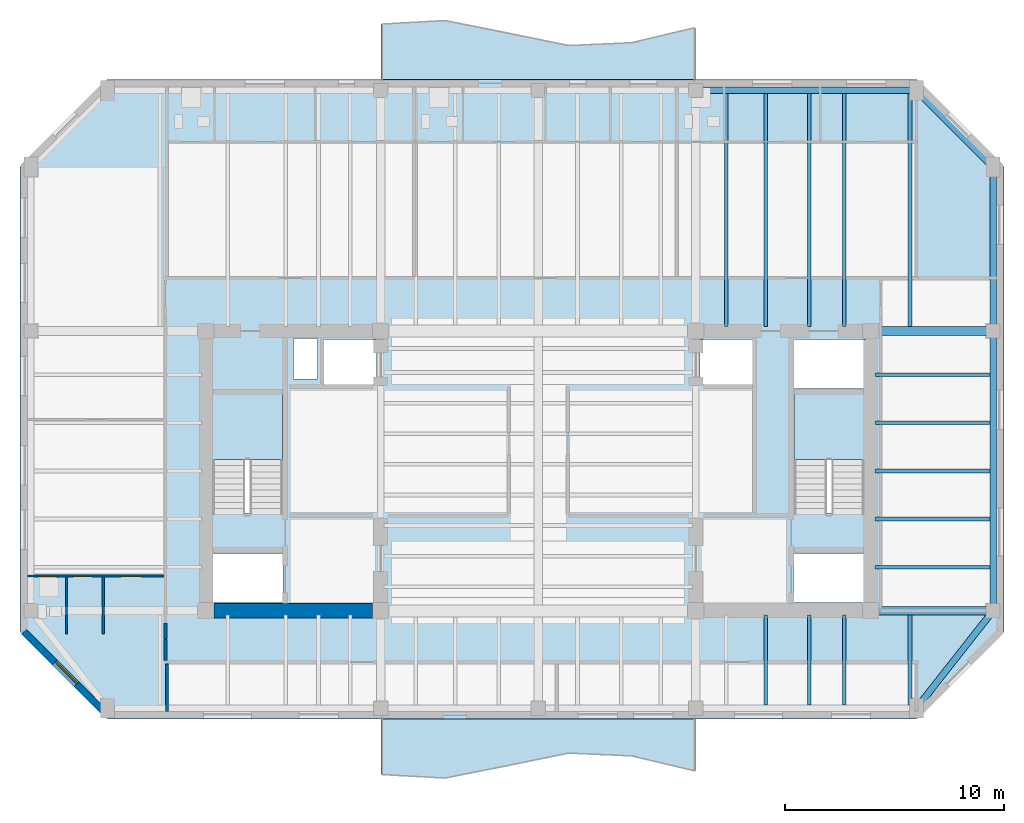
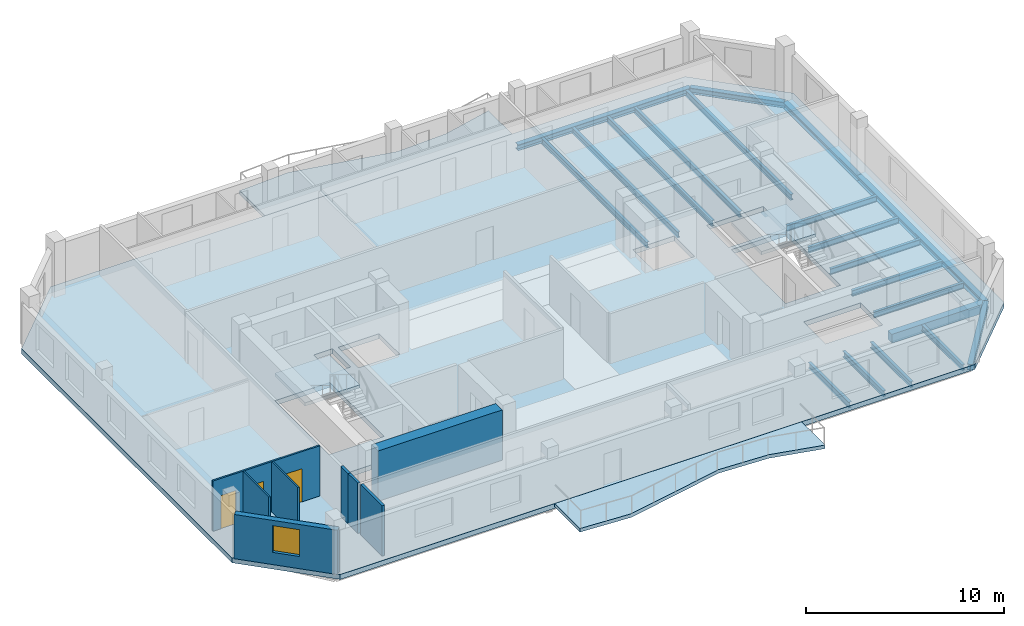
# One storey, part 2 of 10: 21 beams, 8 walls, 5 slabs, 3 doors, 1 window, 4 openings, 2 elements without a shape of their own.
"""IFC4 building model written with IfcOpenShell, lengths in metres."""

from ifc_helpers import new_model, si_unit, direction, frame, frame_2d, origin, origin_2d, place, context, subcontext, project, spatial, polyline, rectangle, i_section, outline, extrude, material, layer, layer_set, material_profile, profile_set, type_object, element, fill, aggregate, save


model = new_model("IFC4")

# Units and contexts
model_context = context("Model", 3, precision=1e-05, world=origin(), true_north=direction((0.0, 1.0)))
body_context = subcontext(model_context, "Body", "Model", "MODEL_VIEW")
ifc_project = project(units=[si_unit("LENGTHUNIT", "METRE"), si_unit("AREAUNIT", "SQUARE_METRE"), si_unit("VOLUMEUNIT", "CUBIC_METRE"), si_unit("PLANEANGLEUNIT", "RADIAN"), si_unit("MASSUNIT", "GRAM", prefix="KILO")], contexts=[model_context])

# Site, building, storey
site_placement = place(None, origin())
site = spatial("IfcSite", under=ifc_project, at=site_placement, CompositionType="ELEMENT")
building_placement = place(site_placement, origin())
building = spatial("IfcBuilding", under=site, at=building_placement, Name="Kranthara Brick Stack", CompositionType="ELEMENT")
storey_placement = place(building_placement, frame((0.0, 0.0, 272.10009765625)))
storey = spatial("IfcBuildingStorey", under=building, at=storey_placement, Name="L72", CompositionType="ELEMENT", Elevation=272.10009765625)

# Beams
ifc_material_1 = material(Name="Post-tensioned concrete C45/55", Category="concrete")
ifc_material_profile_1 = material_profile(ifc_material_1, rectangle(XDim=0.39990234375, YDim=0.550048828125, at=origin_2d()), Name="PT 400x550")
ifc_profile_set_1 = profile_set([ifc_material_profile_1], Name="Post-tensioned concrete C45/55")
beam_type_1 = type_object("IfcBeamType", Name="BM-FLR-PT550", PredefinedType="BEAM", material=ifc_profile_set_1)
for number, where, z_axis, x_axis, name in (
    (1, (43.199951171875, 20.800048828125, -0.5751953125), (1.0, 0.0, 0.0), (0.0, 1.0, 0.0), "L72 Primary Grid Girder 029"),
    (2, (43.199951171875, 33.60009765625, -0.5751953125), (1.0, 0.0, 0.0), (0.0, 1.0, 0.0), "L72 Primary Grid Girder 031"),
):
    element("IfcBeam", number, at=place(storey_placement, frame(where, z_axis=z_axis, x_axis=x_axis)), inside=storey, type_object=beam_type_1, Name=name, PredefinedType="BEAM", context=body_context, shape_type="SweptSolid", body=[
        extrude(rectangle(XDim=0.39990234375, YDim=0.550048828125, at=origin_2d()), origin(), (0.0, 0.0, 1.0), 5.60009765625),
    ])
ifc_material_2 = material(Name="Steel S355", Category="steel")
ifc_material_profile_2 = material_profile(ifc_material_2, i_section(OverallWidth=0.169921875, OverallDepth=0.360107421875, WebThickness=0.008056640625, FlangeThickness=0.0126953125, at=origin_2d()), Name="IPE 360")
ifc_profile_set_2 = profile_set([ifc_material_profile_2], Name="Steel S355")
beam_type_2 = type_object("IfcBeamType", Name="BM-JST-IPE360", PredefinedType="JOIST", material=ifc_profile_set_2)
beam_1_placement = place(storey_placement, frame((36.60009765625, 33.800048828125, -0.47998046875), z_axis=(0.0, 1.0, 0.0), x_axis=(-1.0, 0.0, 0.0)))
element("IfcBeam", 3, at=beam_1_placement, inside=storey, type_object=beam_type_2, Name="L72 North Wing Floor Joist 073", PredefinedType="JOIST", context=body_context, shape_type="SweptSolid", body=[
    extrude(i_section(OverallWidth=0.169921875, OverallDepth=0.360107421875, WebThickness=0.008056640625, FlangeThickness=0.0126953125, at=origin_2d()), origin(), (0.0, 0.0, 1.0), 10.64990234375),
])
beam_2_placement = place(storey_placement, frame((38.39990234375, 16.5, -0.47998046875), z_axis=(0.0, 1.0, 0.0), x_axis=(-1.0, 0.0, 0.0)))
element("IfcBeam", 4, at=beam_2_placement, inside=storey, type_object=beam_type_2, Name="L72 South Wing Floor Joist 074", PredefinedType="JOIST", context=body_context, shape_type="SweptSolid", body=[
    extrude(i_section(OverallWidth=0.169921875, OverallDepth=0.360107421875, WebThickness=0.008056640625, FlangeThickness=0.0126953125, at=origin_2d()), origin(), (0.0, 0.0, 1.0), 4.10009765625),
])
beam_3_placement = place(storey_placement, frame((38.39990234375, 33.800048828125, -0.47998046875), z_axis=(0.0, 1.0, 0.0), x_axis=(-1.0, 0.0, 0.0)))
element("IfcBeam", 5, at=beam_3_placement, inside=storey, type_object=beam_type_2, Name="L72 North Wing Floor Joist 075", PredefinedType="JOIST", context=body_context, shape_type="SweptSolid", body=[
    extrude(i_section(OverallWidth=0.169921875, OverallDepth=0.360107421875, WebThickness=0.008056640625, FlangeThickness=0.0126953125, at=origin_2d()), origin(), (0.0, 0.0, 1.0), 10.64990234375),
])
beam_4_placement = place(storey_placement, frame((40.39990234375, 16.5, -0.47998046875), z_axis=(0.0, 1.0, 0.0), x_axis=(-1.0, 0.0, 0.0)))
element("IfcBeam", 6, at=beam_4_placement, inside=storey, type_object=beam_type_2, Name="L72 South Wing Floor Joist 076", PredefinedType="JOIST", context=body_context, shape_type="SweptSolid", body=[
    extrude(i_section(OverallWidth=0.169921875, OverallDepth=0.360107421875, WebThickness=0.008056640625, FlangeThickness=0.0126953125, at=origin_2d()), origin(), (0.0, 0.0, 1.0), 4.10009765625),
])
beam_5_placement = place(storey_placement, frame((40.39990234375, 33.800048828125, -0.47998046875), z_axis=(0.0, 1.0, 0.0), x_axis=(-1.0, 0.0, 0.0)))
element("IfcBeam", 7, at=beam_5_placement, inside=storey, type_object=beam_type_2, Name="L72 North Wing Floor Joist 077", PredefinedType="JOIST", context=body_context, shape_type="SweptSolid", body=[
    extrude(i_section(OverallWidth=0.169921875, OverallDepth=0.360107421875, WebThickness=0.008056640625, FlangeThickness=0.0126953125, at=origin_2d()), origin(), (0.0, 0.0, 1.0), 10.64990234375),
])
beam_6_placement = place(storey_placement, frame((42.0, 16.5, -0.47998046875), z_axis=(0.0, 1.0, 0.0), x_axis=(-1.0, 0.0, 0.0)))
element("IfcBeam", 8, at=beam_6_placement, inside=storey, type_object=beam_type_2, Name="L72 South Wing Floor Joist 078", PredefinedType="JOIST", context=body_context, shape_type="SweptSolid", body=[
    extrude(i_section(OverallWidth=0.169921875, OverallDepth=0.360107421875, WebThickness=0.008056640625, FlangeThickness=0.0126953125, at=origin_2d()), origin(), (0.0, 0.0, 1.0), 4.10009765625),
])
beam_7_placement = place(storey_placement, frame((42.0, 33.800048828125, -0.47998046875), z_axis=(0.0, 1.0, 0.0), x_axis=(-1.0, 0.0, 0.0)))
element("IfcBeam", 9, at=beam_7_placement, inside=storey, type_object=beam_type_2, Name="L72 North Wing Floor Joist 079", PredefinedType="JOIST", context=body_context, shape_type="SweptSolid", body=[
    extrude(i_section(OverallWidth=0.169921875, OverallDepth=0.360107421875, WebThickness=0.008056640625, FlangeThickness=0.0126953125, at=origin_2d()), origin(), (0.0, 0.0, 1.0), 10.64990234375),
])
beam_8_placement = place(storey_placement, frame((45.0, 16.5, -0.47998046875), z_axis=(0.0, 1.0, 0.0), x_axis=(-1.0, 0.0, 0.0)))
element("IfcBeam", 10, at=beam_8_placement, inside=storey, type_object=beam_type_2, Name="L72 South Wing Floor Joist 080", PredefinedType="JOIST", context=body_context, shape_type="SweptSolid", body=[
    extrude(i_section(OverallWidth=0.169921875, OverallDepth=0.360107421875, WebThickness=0.008056640625, FlangeThickness=0.0126953125, at=origin_2d()), origin(), (0.0, 0.0, 1.0), 4.10009765625),
])
beam_9_placement = place(storey_placement, frame((45.0, 33.800048828125, -0.47998046875), z_axis=(0.0, 1.0, 0.0), x_axis=(-1.0, 0.0, 0.0)))
element("IfcBeam", 11, at=beam_9_placement, inside=storey, type_object=beam_type_2, Name="L72 North Wing Floor Joist 081", PredefinedType="JOIST", context=body_context, shape_type="SweptSolid", body=[
    extrude(i_section(OverallWidth=0.169921875, OverallDepth=0.360107421875, WebThickness=0.008056640625, FlangeThickness=0.0126953125, at=origin_2d()), origin(), (0.0, 0.0, 1.0), 10.64990234375),
])
for number, where, z_axis, x_axis, name in (
    (12, (43.39990234375, 22.800048828125, -0.47998046875), (1.0, 0.0, 0.0), (0.0, 1.0, 0.0), "L72 East Wing Floor Joist 083"),
    (13, (43.39990234375, 25.0, -0.47998046875), (1.0, 0.0, 0.0), (0.0, 1.0, 0.0), "L72 East Wing Floor Joist 085"),
    (14, (43.39990234375, 27.199951171875, -0.47998046875), (1.0, 0.0, 0.0), (0.0, 1.0, 0.0), "L72 East Wing Floor Joist 087"),
    (15, (43.39990234375, 29.39990234375, -0.47998046875), (1.0, 0.0, 0.0), (0.0, 1.0, 0.0), "L72 East Wing Floor Joist 089"),
    (16, (43.39990234375, 31.60009765625, -0.47998046875), (1.0, 0.0, 0.0), (0.0, 1.0, 0.0), "L72 East Wing Floor Joist 091"),
):
    element("IfcBeam", number, at=place(storey_placement, frame(where, z_axis=z_axis, x_axis=x_axis)), inside=storey, type_object=beam_type_2, Name=name, PredefinedType="JOIST", context=body_context, shape_type="SweptSolid", body=[
        extrude(i_section(OverallWidth=0.169921875, OverallDepth=0.360107421875, WebThickness=0.008056640625, FlangeThickness=0.0126953125, at=origin_2d()), origin(), (0.0, 0.0, 1.0), 5.25),
    ])
ifc_material_3 = material(Name="Steel S355", Category="steel")
ifc_material_profile_3 = material_profile(ifc_material_3, i_section(OverallWidth=0.300048828125, OverallDepth=0.360107421875, WebThickness=0.012451171875, FlangeThickness=0.0224609375, at=origin_2d()), Name="HEB 360")
ifc_profile_set_3 = profile_set([ifc_material_profile_3], Name="Steel S355")
beam_type_3 = type_object("IfcBeamType", Name="BM-STL-HEB360", PredefinedType="SPANDREL", material=ifc_profile_set_3)
beam_10_placement = place(storey_placement, frame((35.199951171875, 44.60009765625, -0.47998046875), z_axis=(1.0, 0.0, 0.0), x_axis=(0.0, 1.0, 0.0)))
element("IfcBeam", 17, at=beam_10_placement, inside=storey, type_object=beam_type_3, Name="L72 Perimeter Spandrel Beam 012", PredefinedType="SPANDREL", context=body_context, shape_type="SweptSolid", body=[
    extrude(i_section(OverallWidth=0.300048828125, OverallDepth=0.360107421875, WebThickness=0.012451171875, FlangeThickness=0.0224609375, at=origin_2d()), origin(), (0.0, 0.0, 1.0), 10.10009765625),
])
beam_11_placement = place(storey_placement, frame((48.800048828125, 20.800048828125, -0.47998046875), z_axis=(0.0, 1.0, 0.0), x_axis=(-1.0, 0.0, 0.0)))
element("IfcBeam", 18, at=beam_11_placement, inside=storey, type_object=beam_type_3, Name="L72 Perimeter Spandrel Beam 015", PredefinedType="SPANDREL", context=body_context, shape_type="SweptSolid", body=[
    extrude(i_section(OverallWidth=0.300048828125, OverallDepth=0.360107421875, WebThickness=0.012451171875, FlangeThickness=0.0224609375, at=origin_2d()), origin(), (0.0, 0.0, 1.0), 12.800048828125),
])
beam_12_placement = place(storey_placement, frame((48.800048828125, 33.60009765625, -0.47998046875), z_axis=(0.0, 1.0, 0.0), x_axis=(-1.0, 0.0, 0.0)))
element("IfcBeam", 19, at=beam_12_placement, inside=storey, type_object=beam_type_3, Name="L72 Perimeter Spandrel Beam 016", PredefinedType="SPANDREL", context=body_context, shape_type="SweptSolid", body=[
    extrude(i_section(OverallWidth=0.300048828125, OverallDepth=0.360107421875, WebThickness=0.012451171875, FlangeThickness=0.0224609375, at=origin_2d()), origin(), (0.0, 0.0, 1.0), 7.5),
])
beam_13_placement = place(storey_placement, frame((45.300048828125, 16.35009765625, -0.47998046875), z_axis=(0.618215705636, 0.78600848679, 0.0), x_axis=(-0.78600848679, 0.618215705636, 0.0)))
element("IfcBeam", 20, at=beam_13_placement, inside=storey, type_object=beam_type_3, Name="L72 Chamfer Corner Spandrel 018", PredefinedType="SPANDREL", context=body_context, shape_type="SweptSolid", body=[
    extrude(i_section(OverallWidth=0.300048828125, OverallDepth=0.360107421875, WebThickness=0.012451171875, FlangeThickness=0.0224609375, at=origin_2d()), origin(), (0.0, 0.0, 1.0), 5.661376953125),
])
beam_14_placement = place(storey_placement, frame((45.300048828125, 44.60009765625, -0.47998046875), z_axis=(0.707106781187, -0.707106781187, 0.0), x_axis=(0.707106781187, 0.707106781187, 0.0)))
element("IfcBeam", 21, at=beam_14_placement, inside=storey, type_object=beam_type_3, Name="L72 Chamfer Corner Spandrel 020", PredefinedType="SPANDREL", context=body_context, shape_type="SweptSolid", body=[
    extrude(i_section(OverallWidth=0.300048828125, OverallDepth=0.360107421875, WebThickness=0.012451171875, FlangeThickness=0.0224609375, at=origin_2d()), origin(), (0.0, 0.0, 1.0), 4.94970703125),
])

# Slabs
ifc_material_4 = material(Name="Concrete C45/55", Category="concrete")
ifc_layer_1 = layer(ifc_material_4, 0.219970703125)
ifc_layer_set_1 = layer_set([ifc_layer_1], Name="Concrete C45/55")
slab_type_1 = type_object("IfcSlabType", Name="SLB-BALC-220", PredefinedType="FLOOR", material=ifc_layer_set_1)
slab_1_placement = place(storey_placement, frame((0.0, 0.0, -0.22021484375)))
element("IfcSlab", 22, at=slab_1_placement, inside=storey, type_object=slab_type_1, Name="L72 South Rippling Balcony Slab", PredefinedType="FLOOR", context=body_context, shape_type="SweptSolid", body=[
    extrude(outline(polyline([(20.800048828125, 15.85009765625), (35.199951171875, 15.85009765625), (35.199951171875, 13.480224609375), (32.320068359375, 14.168212890625), (29.43994140625, 14.298828125), (26.56005859375, 13.707763671875), (23.679931640625, 13.138427734375), (20.800048828125, 13.306884765625), (20.800048828125, 15.85009765625)])), origin(), (0.0, 0.0, 1.0), 0.22021484375),
])
slab_2_placement = place(storey_placement, frame((0.0, 0.0, -0.22021484375)))
element("IfcSlab", 23, at=slab_2_placement, inside=storey, type_object=slab_type_1, Name="L72 North Rippling Balcony Slab", PredefinedType="FLOOR", context=body_context, shape_type="SweptSolid", body=[
    extrude(outline(polyline([(35.199951171875, 45.10009765625), (20.800048828125, 45.10009765625), (20.800048828125, 47.643310546875), (23.679931640625, 47.8115234375), (26.56005859375, 47.2421875), (29.43994140625, 46.6513671875), (32.320068359375, 46.78173828125), (35.199951171875, 47.4697265625), (35.199951171875, 45.10009765625)])), origin(), (0.0, 0.0, 1.0), 0.22021484375),
])

# Stair, slab
ifc_material_5 = material(Name="Concrete C45/55", Category="concrete")
stair_type = type_object("IfcStairType", Name="ST-CORE-20R", PredefinedType="HALF_TURN_STAIR", material=ifc_material_5)
stair_1_placement = place(storey_placement, origin())
stair_1 = element("IfcStair", 24, at=stair_1_placement, inside=storey, type_object=stair_type, Name="L72 West Core Protected Exit Stair ST01", PredefinedType="HALF_TURN_STAIR")
ifc_material_6 = material(Name="Concrete C45/55", Category="concrete")
ifc_layer_2 = layer(ifc_material_6, 0.199951171875)
ifc_layer_set_2 = layer_set([ifc_layer_2], Name="Concrete C45/55")
slab_type_2 = type_object("IfcSlabType", Name="SLB-LANDING-200", PredefinedType="LANDING", material=ifc_layer_set_2)
slab_3_placement = place(storey_placement, frame((0.0, 0.0, 1.5)))
slab_3 = element("IfcSlab", 25, at=slab_3_placement, type_object=slab_type_2, Name="ST01 landing 1", PredefinedType="LANDING", context=body_context, shape_type="SweptSolid", body=[
    extrude(outline(polyline([(16.300048828125, 27.719970703125), (16.300048828125, 30.75), (13.10009765625, 30.75), (13.10009765625, 27.719970703125), (16.300048828125, 27.719970703125)])), origin(), (0.0, 0.0, 1.0), 0.199951171875),
])
aggregate(stair_1, [slab_3])

stair_2_placement = place(storey_placement, origin())
stair_2 = element("IfcStair", 26, at=stair_2_placement, inside=storey, type_object=stair_type, Name="L72 East Core Protected Exit Stair ST02", PredefinedType="HALF_TURN_STAIR")
slab_4_placement = place(storey_placement, frame((0.0, 0.0, 1.5)))
slab_4 = element("IfcSlab", 27, at=slab_4_placement, type_object=slab_type_2, Name="ST02 landing 1", PredefinedType="LANDING", context=body_context, shape_type="SweptSolid", body=[
    extrude(outline(polyline([(42.89990234375, 27.719970703125), (42.89990234375, 30.75), (39.699951171875, 30.75), (39.699951171875, 27.719970703125), (42.89990234375, 27.719970703125)])), origin(), (0.0, 0.0, 1.0), 0.199951171875),
])
aggregate(stair_2, [slab_4])

# Slab
ifc_material_7 = material(Name="Post-tensioned concrete C45/55", Category="concrete")
ifc_layer_3 = layer(ifc_material_7, 0.300048828125)
ifc_layer_set_3 = layer_set([ifc_layer_3], Name="Post-tensioned concrete C45/55")
slab_type_3 = type_object("IfcSlabType", Name="SLB-TWR-300", PredefinedType="FLOOR", material=ifc_layer_set_3)
slab_5_placement = place(storey_placement, frame((0.0, 0.0, -0.300048828125)))
element("IfcSlab", 28, at=slab_5_placement, inside=storey, type_object=slab_type_3, Name="L72 Structural Floor Plate", PredefinedType="FLOOR", context=body_context, shape_type="SweptSolid", body=[
    extrude(outline(polyline([(8.300048828125, 15.85009765625), (45.300048828125, 15.85009765625), (49.300048828125, 19.85009765625), (49.300048828125, 41.10009765625), (45.300048828125, 45.10009765625), (8.300048828125, 45.10009765625), (4.300048828125, 41.10009765625), (4.300048828125, 19.85009765625), (8.300048828125, 15.85009765625)]), holes=[polyline([(13.10009765625, 25.280029296875), (16.300048828125, 25.280029296875), (16.300048828125, 30.75), (13.10009765625, 30.75), (13.10009765625, 25.280029296875)]), polyline([(39.699951171875, 25.280029296875), (42.89990234375, 25.280029296875), (42.89990234375, 30.75), (39.699951171875, 30.75), (39.699951171875, 25.280029296875)]), polyline([(13.0, 21.179931640625), (16.320068359375, 21.179931640625), (16.320068359375, 23.419921875), (13.0, 23.419921875), (13.0, 21.179931640625)]), polyline([(39.679931640625, 21.179931640625), (43.0, 21.179931640625), (43.0, 23.419921875), (39.679931640625, 23.419921875), (39.679931640625, 21.179931640625)]), polyline([(39.679931640625, 30.97998046875), (43.0, 30.97998046875), (43.0, 33.219970703125), (39.679931640625, 33.219970703125), (39.679931640625, 30.97998046875)]), polyline([(18.199951171875, 31.14990234375), (20.60009765625, 31.14990234375), (20.60009765625, 33.219970703125), (18.199951171875, 33.219970703125), (18.199951171875, 31.14990234375)]), polyline([(35.39990234375, 31.14990234375), (37.800048828125, 31.14990234375), (37.800048828125, 33.219970703125), (35.39990234375, 33.219970703125), (35.39990234375, 31.14990234375)]), polyline([(16.800048828125, 31.39990234375), (17.89990234375, 31.39990234375), (17.89990234375, 33.25), (16.800048828125, 33.25), (16.800048828125, 31.39990234375)])]), origin(), (0.0, 0.0, 1.0), 0.300048828125),
])

# Wall, opening, window
ifc_material_8 = material(Name="Warm buff clay brick masonry M15", Category="masonry")
ifc_layer_4 = layer(ifc_material_8, 0.320068359375)
ifc_layer_set_4 = layer_set([ifc_layer_4], Name="Warm buff clay brick masonry M15")
wall_type_1 = type_object("IfcWallType", Name="WL-BRK-UPPR-320", PredefinedType="STANDARD", material=ifc_layer_set_4)
wall_1_placement = place(storey_placement, frame((8.300048828125, 16.030029296875, 0.0), z_axis=(0.0, 0.0, 1.0), x_axis=(-0.707106781187, 0.707106781187, 0.0)))
wall_1 = element("IfcWall", 29, at=wall_1_placement, inside=storey, type_object=wall_type_1, Name="L72 Exterior Brick Facade Wall SW 1", PredefinedType="STANDARD", context=body_context, shape_type="SweptSolid", body=[
    extrude(rectangle(XDim=5.40234375, YDim=0.320068359375, at=frame_2d((2.701171875, 0.0))), origin(), (0.0, 0.0, 1.0), 2.724853515625),
])
opening_1_placement = place(wall_1_placement, frame((2.0009765625, 0.0, 0.75)))
opening_1 = element("IfcOpeningElement", 30, at=opening_1_placement, cuts=wall_1, Name="Opening WN10", PredefinedType="OPENING", context=body_context, shape_type="SweptSolid", body=[
    extrude(rectangle(XDim=1.39990234375, YDim=1.64990234375, at=frame_2d((0.699951171875, 0.824951171875))), frame((0.0, 0.169921875, 0.0), z_axis=(0.0, -1.0, 0.0), x_axis=(1.0, 0.0, 0.0)), (0.0, 0.0, 1.0), 0.340087890625),
])
ifc_material_9 = material(Name="Double-glazed low-E solar control glass", Category="glass")
window_type = type_object("IfcWindowType", Name="WN-CHM-1400x1750", PartitioningType="SINGLE_PANEL", PredefinedType="WINDOW", material=ifc_material_9)
window_placement = place(opening_1_placement, origin())
window = element("IfcWindow", 31, at=window_placement, inside=storey, type_object=window_type, Name="L72 SW Chamfer Corner Window", OverallHeight=1.64990234375, OverallWidth=1.39990234375, PartitioningType="SINGLE_PANEL", PredefinedType="WINDOW", context=body_context, shape_type="SweptSolid", body=[
    extrude(rectangle(XDim=1.39990234375, YDim=1.64990234375, at=frame_2d((0.699951171875, 0.824951171875))), frame((0.0, -0.010009765625, 0.0), z_axis=(0.0, -1.0, 0.0), x_axis=(1.0, 0.0, 0.0)), (0.0, 0.0, 1.0), 0.06005859375),
])
fill(opening_1, window)

# Wall
ifc_material_10 = material(Name="Concrete C60/75", Category="concrete")
ifc_layer_5 = layer(ifc_material_10, 0.64990234375)
ifc_layer_set_5 = layer_set([ifc_layer_5], Name="Concrete C60/75")
wall_type_2 = type_object("IfcWallType", Name="WL-CORE-650", PredefinedType="SHEAR", material=ifc_layer_set_5)
wall_2_placement = place(storey_placement, frame((13.179931640625, 20.800048828125, 0.0), z_axis=(0.0, 0.0, 1.0), x_axis=(1.0, 0.0, 0.0)))
element("IfcWall", 32, at=wall_2_placement, inside=storey, type_object=wall_type_2, Name="L72 West Core Shear Wall South", PredefinedType="SHEAR", context=body_context, shape_type="SweptSolid", body=[
    extrude(rectangle(XDim=7.239990234375, YDim=0.64990234375, at=frame_2d((3.6201171875, 0.0))), origin(), (0.0, 0.0, 1.0), 3.099853515625),
])

# Wall, openings, doors
ifc_material_11 = material(Name="Moisture-resistant wet-room partition", Category="other")
ifc_layer_6 = layer(ifc_material_11, 0.10009765625)
ifc_layer_set_6 = layer_set([ifc_layer_6], Name="Moisture-resistant wet-room partition")
wall_type_3 = type_object("IfcWallType", Name="WL-PART-100", PredefinedType="PARTITIONING", material=ifc_layer_set_6)
wall_3_placement = place(storey_placement, frame((4.64501953125, 22.39990234375, 0.0), z_axis=(0.0, 0.0, 1.0), x_axis=(1.0, 0.0, 0.0)))
wall_3 = element("IfcWall", 33, at=wall_3_placement, inside=storey, type_object=wall_type_3, Name="L72 Interior Partition 029", PredefinedType="PARTITIONING", context=body_context, shape_type="SweptSolid", body=[
    extrude(rectangle(XDim=6.22509765625, YDim=0.10009765625, at=frame_2d((3.112548828125, 0.0))), origin(), (0.0, 0.0, 1.0), 3.099853515625),
])
opening_2_placement = place(wall_3_placement, frame((0.471923828125, 0.0, 0.0)))
opening_2 = element("IfcOpeningElement", 34, at=opening_2_placement, cuts=wall_3, Name="Opening D17", PredefinedType="OPENING", context=body_context, shape_type="SweptSolid", body=[
    extrude(rectangle(XDim=0.85009765625, YDim=2.050048828125, at=frame_2d((0.425048828125, 1.02490234375))), frame((0.0, 0.06005859375, 0.0), z_axis=(0.0, -1.0, 0.0), x_axis=(1.0, 0.0, 0.0)), (0.0, 0.0, 1.0), 0.1201171875),
])
opening_3_placement = place(wall_3_placement, frame((2.092041015625, 0.0, 0.0)))
opening_3 = element("IfcOpeningElement", 35, at=opening_3_placement, cuts=wall_3, Name="Opening D16", PredefinedType="OPENING", context=body_context, shape_type="SweptSolid", body=[
    extrude(rectangle(XDim=0.85009765625, YDim=2.050048828125, at=frame_2d((0.425048828125, 1.02490234375))), frame((0.0, 0.06005859375, 0.0), z_axis=(0.0, -1.0, 0.0), x_axis=(1.0, 0.0, 0.0)), (0.0, 0.0, 1.0), 0.1201171875),
])
opening_4_placement = place(wall_3_placement, frame((4.284912109375, 0.0, 0.0)))
opening_4 = element("IfcOpeningElement", 36, at=opening_4_placement, cuts=wall_3, Name="Opening D15", PredefinedType="OPENING", context=body_context, shape_type="SweptSolid", body=[
    extrude(rectangle(XDim=0.89990234375, YDim=2.050048828125, at=frame_2d((0.449951171875, 1.02490234375))), frame((0.0, 0.06005859375, 0.0), z_axis=(0.0, -1.0, 0.0), x_axis=(1.0, 0.0, 0.0)), (0.0, 0.0, 1.0), 0.1201171875),
])
ifc_material_12 = material(Name="Solid-core hardwood timber leaf in steel frame", Category="steel")
door_type_1 = type_object("IfcDoorType", Name="DR-INT-850", OperationType="NOTDEFINED", PredefinedType="DOOR", material=ifc_material_12)
door_1_placement = place(opening_3_placement, origin())
door_1 = element("IfcDoor", 37, at=door_1_placement, inside=storey, type_object=door_type_1, Name="L72 Unit L72D Kitchen 21", OperationType="SINGLE_SWING_LEFT", OverallHeight=2.050048828125, OverallWidth=0.85009765625, PredefinedType="DOOR", context=body_context, shape_type="SweptSolid", body=[
    extrude(rectangle(XDim=0.85009765625, YDim=2.050048828125, at=frame_2d((0.425048828125, 1.02490234375))), frame((0.0, 0.02490234375, 0.0), z_axis=(0.0, -1.0, 0.0), x_axis=(1.0, 0.0, 0.0)), (0.0, 0.0, 1.0), 0.050048828125),
])
fill(opening_3, door_1)
ifc_material_13 = material(Name="Solid-core hardwood timber leaf in steel frame", Category="steel")
door_type_2 = type_object("IfcDoorType", Name="DR-INT-900", OperationType="NOTDEFINED", PredefinedType="DOOR", material=ifc_material_13)
door_2_placement = place(opening_4_placement, origin())
door_2 = element("IfcDoor", 38, at=door_2_placement, inside=storey, type_object=door_type_2, Name="L72 Unit L72D Bedroom 22", OperationType="SINGLE_SWING_RIGHT", OverallHeight=2.050048828125, OverallWidth=0.89990234375, PredefinedType="DOOR", context=body_context, shape_type="SweptSolid", body=[
    extrude(rectangle(XDim=0.89990234375, YDim=2.050048828125, at=frame_2d((0.449951171875, 1.02490234375))), frame((0.0, 0.02490234375, 0.0), z_axis=(0.0, -1.0, 0.0), x_axis=(1.0, 0.0, 0.0)), (0.0, 0.0, 1.0), 0.050048828125),
])
fill(opening_4, door_2)
ifc_material_14 = material(Name="Solid-core hardwood timber leaf in steel frame", Category="steel")
door_type_3 = type_object("IfcDoorType", Name="DR-WET-850", OperationType="NOTDEFINED", PredefinedType="DOOR", material=ifc_material_14)
door_3_placement = place(opening_2_placement, origin())
door_3 = element("IfcDoor", 39, at=door_3_placement, inside=storey, type_object=door_type_3, Name="L72 Unit L72D Bathroom 20", OperationType="SINGLE_SWING_RIGHT", OverallHeight=2.050048828125, OverallWidth=0.85009765625, PredefinedType="DOOR", context=body_context, shape_type="SweptSolid", body=[
    extrude(rectangle(XDim=0.85009765625, YDim=2.050048828125, at=frame_2d((0.425048828125, 1.02490234375))), frame((0.0, 0.02490234375, 0.0), z_axis=(0.0, -1.0, 0.0), x_axis=(1.0, 0.0, 0.0)), (0.0, 0.0, 1.0), 0.050048828125),
])
fill(opening_2, door_3)

# Walls
for number, where, z_axis, x_axis, name in (
    (40, (6.425048828125, 19.72998046875, 0.0), (0.0, 0.0, 1.0), (0.0, 1.0, 0.0), "L72 Interior Partition 031"),
    (41, (8.110107421875, 19.72998046875, 0.0), (0.0, 0.0, 1.0), (0.0, 1.0, 0.0), "L72 Interior Partition 032"),
):
    element("IfcWall", number, at=place(storey_placement, frame(where, z_axis=z_axis, x_axis=x_axis)), inside=storey, type_object=wall_type_3, Name=name, PredefinedType="PARTITIONING", context=body_context, shape_type="SweptSolid", body=[
        extrude(rectangle(XDim=2.614990234375, YDim=0.10009765625, at=frame_2d((1.3076171875, 0.0))), origin(), (0.0, 0.0, 1.0), 3.099853515625),
    ])
ifc_material_15 = material(Name="Fire-rated gypsum board partition", Category="other")
ifc_layer_7 = layer(ifc_material_15, 0.14990234375)
ifc_layer_set_7 = layer_set([ifc_layer_7], Name="Fire-rated gypsum board partition")
wall_type_4 = type_object("IfcWallType", Name="WL-PART-150", PredefinedType="PARTITIONING", material=ifc_layer_set_7)
wall_4_placement = place(storey_placement, frame((11.02001953125, 16.195068359375, 0.0), z_axis=(0.0, 0.0, 1.0), x_axis=(0.0, 1.0, 0.0)))
element("IfcWall", 42, at=wall_4_placement, inside=storey, type_object=wall_type_4, Name="L72 Interior Partition 006", PredefinedType="PARTITIONING", context=body_context, shape_type="SweptSolid", body=[
    extrude(rectangle(XDim=2.184814453125, YDim=0.14990234375, at=frame_2d((1.09228515625, 0.0))), origin(), (0.0, 0.0, 1.0), 3.099853515625),
])
wall_5_placement = place(storey_placement, frame((10.949951171875, 19.5, 0.0), z_axis=(0.0, 0.0, 1.0), x_axis=(0.0, -1.0, 0.0)))
element("IfcWall", 43, at=wall_5_placement, inside=storey, type_object=wall_type_4, Name="L72 Interior Partition 024", PredefinedType="PARTITIONING", context=body_context, shape_type="SweptSolid", body=[
    extrude(rectangle(XDim=0.9599609375, YDim=0.14990234375, at=frame_2d((0.47998046875, 0.0))), origin(), (0.0, 0.0, 1.0), 3.099853515625),
])
wall_6_placement = place(storey_placement, frame((10.949951171875, 19.510009765625, 0.0), z_axis=(0.0, 0.0, 1.0), x_axis=(0.0, 1.0, 0.0)))
element("IfcWall", 44, at=wall_6_placement, inside=storey, type_object=wall_type_4, Name="L72 Interior Partition 025", PredefinedType="PARTITIONING", context=body_context, shape_type="SweptSolid", body=[
    extrude(rectangle(XDim=0.739990234375, YDim=0.14990234375, at=frame_2d((0.3701171875, 0.0))), origin(), (0.0, 0.0, 1.0), 3.099853515625),
])

save(model, "model.ifc")
